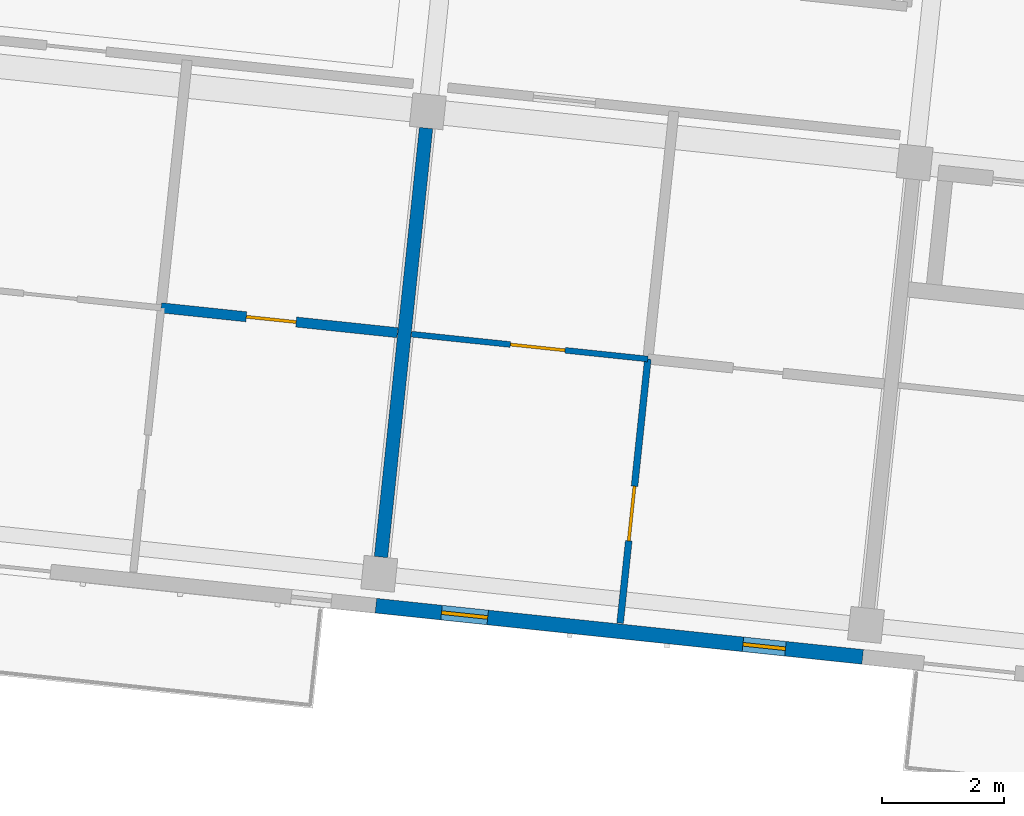
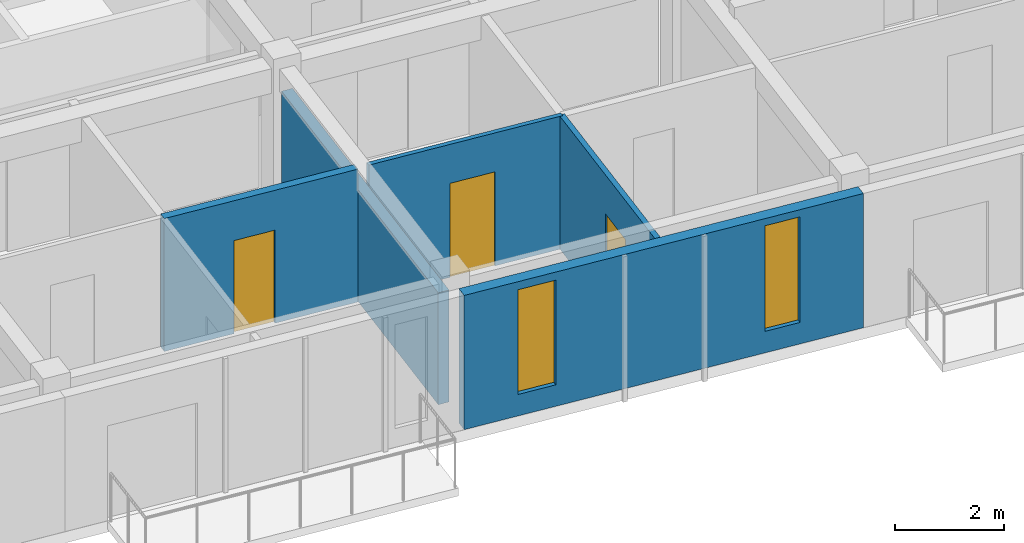
# One storey, part 31 of 68: 5 walls, 3 doors, 2 windows, 5 openings.
"""IFC4 building model written with IfcOpenShell, lengths in metres."""

from ifc_helpers import new_model, si_unit, direction, frame, frame_2d, origin, place, context, subcontext, project, spatial, rectangle, extrude, material, layer, layer_set, type_object, element, fill, save


model = new_model("IFC4")

# Units and contexts
model_context = context("Model", 3, precision=1e-05, world=origin(), true_north=direction((0.0, 1.0)))
body_context = subcontext(model_context, "Body", "Model", "MODEL_VIEW")
ifc_project = project(units=[si_unit("LENGTHUNIT", "METRE"), si_unit("AREAUNIT", "SQUARE_METRE"), si_unit("VOLUMEUNIT", "CUBIC_METRE"), si_unit("PLANEANGLEUNIT", "RADIAN"), si_unit("MASSUNIT", "GRAM", prefix="KILO")], contexts=[model_context])

# Site, building, storey
site_placement = place(None, origin())
site = spatial("IfcSite", under=ifc_project, at=site_placement, CompositionType="ELEMENT")
building_placement = place(site_placement, origin())
building = spatial("IfcBuilding", under=site, at=building_placement, Name="Kestramere Prow Commons", CompositionType="ELEMENT")
storey_placement = place(building_placement, frame((0.0, 0.0, 18.14990234375)))
storey = spatial("IfcBuildingStorey", under=building, at=storey_placement, Name="L05", CompositionType="ELEMENT", Elevation=18.14990234375)

# Wall, openings, windows
ifc_material_1 = material(Name="Fluoropolymer Standing-Seam Zinc-Aluminium Cladding", Category="aluminium")
ifc_layer_1 = layer(ifc_material_1, 0.239990234375)
ifc_layer_set_1 = layer_set([ifc_layer_1], Name="Fluoropolymer Standing-Seam Zinc-Aluminium Cladding")
wall_type_1 = type_object("IfcWallType", Name="EW-SEAM-240", PredefinedType="SOLIDWALL", material=ifc_layer_set_1)
wall_1_placement = place(storey_placement, frame((133.813720703125, 91.769287109375, 0.0), z_axis=(0.0, 0.0, 1.0), x_axis=(-0.994522662826, 0.104521161134, 0.0)))
wall_1 = element("IfcWall", 1, at=wall_1_placement, inside=storey, type_object=wall_type_1, Name="Block B L05 South Standing-Seam Wall 3", PredefinedType="SOLIDWALL", context=body_context, shape_type="SweptSolid", body=[
    extrude(rectangle(XDim=8.0, YDim=0.239990234375, at=frame_2d((4.0, 0.0))), origin(), (0.0, 0.0, 1.0), 3.0),
])
opening_1_placement = place(wall_1_placement, frame((1.268310546875, 0.0, 0.47998046875)))
opening_1 = element("IfcOpeningElement", 2, at=opening_1_placement, cuts=wall_1, Name="Opening WN-07", PredefinedType="OPENING", context=body_context, shape_type="SweptSolid", body=[
    extrude(rectangle(XDim=0.699951171875, YDim=2.360107421875, at=frame_2d((0.35009765625, 1.18017578125))), frame((0.0, 0.135009765625, 0.0), z_axis=(0.0, -1.0, 0.0), x_axis=(1.0, 0.0, 0.0)), (0.0, 0.0, 1.0), 0.27001953125),
])
opening_2_placement = place(wall_1_placement, frame((6.162109375, 0.0, 0.47998046875)))
opening_2 = element("IfcOpeningElement", 3, at=opening_2_placement, cuts=wall_1, Name="Opening WN-10", PredefinedType="OPENING", context=body_context, shape_type="SweptSolid", body=[
    extrude(rectangle(XDim=0.760009765625, YDim=2.340087890625, at=frame_2d((0.3798828125, 1.169921875))), frame((0.0, 0.135009765625, 0.0), z_axis=(0.0, -1.0, 0.0), x_axis=(1.0, 0.0, 0.0)), (0.0, 0.0, 1.0), 0.27001953125),
])
ifc_material_2 = material(Name="Low-E Laminated Double Glazing", Category="glass")
window_type_1 = type_object("IfcWindowType", Name="WN-NAR-700A", PartitioningType="SINGLE_PANEL", PredefinedType="WINDOW", material=ifc_material_2)
window_1_placement = place(opening_1_placement, origin())
window_1 = element("IfcWindow", 4, at=window_1_placement, inside=storey, type_object=window_type_1, Name="WN-B-L05-S-2-00", OverallHeight=2.360107421875, OverallWidth=0.699951171875, PartitioningType="SINGLE_PANEL", PredefinedType="WINDOW", context=body_context, shape_type="SweptSolid", body=[
    extrude(rectangle(XDim=0.699951171875, YDim=2.360107421875, at=frame_2d((0.35009765625, 1.18017578125))), frame((0.0, 0.030029296875, 0.0), z_axis=(0.0, -1.0, 0.0), x_axis=(1.0, 0.0, 0.0)), (0.0, 0.0, 1.0), 0.06005859375),
])
fill(opening_1, window_1)
window_type_2 = type_object("IfcWindowType", Name="WN-NAR-760A", PartitioningType="SINGLE_PANEL", PredefinedType="WINDOW", material=ifc_material_2)
window_2_placement = place(opening_2_placement, origin())
window_2 = element("IfcWindow", 5, at=window_2_placement, inside=storey, type_object=window_type_2, Name="WN-B-L05-S-2-10", OverallHeight=2.340087890625, OverallWidth=0.760009765625, PartitioningType="SINGLE_PANEL", PredefinedType="WINDOW", context=body_context, shape_type="SweptSolid", body=[
    extrude(rectangle(XDim=0.760009765625, YDim=2.340087890625, at=frame_2d((0.3798828125, 1.169921875))), frame((0.0, 0.030029296875, 0.0), z_axis=(0.0, -1.0, 0.0), x_axis=(1.0, 0.0, 0.0)), (0.0, 0.0, 1.0), 0.06005859375),
])
fill(opening_2, window_2)

# Wall, opening, door
ifc_material_3 = material(Name="Gypsum Acoustic Drywall")
ifc_layer_2 = layer(ifc_material_3, 0.110107421875)
ifc_layer_set_2 = layer_set([ifc_layer_2], Name="Gypsum Acoustic Drywall")
wall_type_2 = type_object("IfcWallType", Name="W-PART-110", PredefinedType="PARTITIONING", material=ifc_layer_set_2)
wall_2_placement = place(storey_placement, frame((129.849609375, 92.321533203125, 0.0), z_axis=(0.0, 0.0, 1.0), x_axis=(0.104520797474, 0.994522701046, 0.0)))
wall_2 = element("IfcWall", 6, at=wall_2_placement, inside=storey, type_object=wall_type_2, Name="Interior Partition PW-B-L05-LB-S2", PredefinedType="PARTITIONING", context=body_context, shape_type="SweptSolid", body=[
    extrude(rectangle(XDim=4.33984375, YDim=0.110107421875, at=frame_2d((2.169921875, 0.0))), origin(), (0.0, 0.0, 1.0), 2.97021484375),
])
opening_3_placement = place(wall_2_placement, frame((1.35009765625, 0.0, 0.0)))
opening_3 = element("IfcOpeningElement", 7, at=opening_3_placement, cuts=wall_2, Name="Opening ID-08", PredefinedType="OPENING", context=body_context, shape_type="SweptSolid", body=[
    extrude(rectangle(XDim=0.89990234375, YDim=2.10009765625, at=frame_2d((0.449951171875, 1.050048828125))), frame((0.0, 0.070068359375, 0.0), z_axis=(0.0, -1.0, 0.0), x_axis=(1.0, 0.0, 0.0)), (0.0, 0.0, 1.0), 0.14013671875),
])
ifc_material_4 = material(Name="Engineered Timber Flush Door", Category="wood")
door_type_1 = type_object("IfcDoorType", Name="D-RM-01", OperationType="NOTDEFINED", PredefinedType="DOOR", material=ifc_material_4)
door_1_placement = place(opening_3_placement, origin())
door_1 = element("IfcDoor", 8, at=door_1_placement, inside=storey, type_object=door_type_1, Name="Interior Door DR-B-L05-BED-S2", OperationType="SINGLE_SWING_LEFT", OverallHeight=2.10009765625, OverallWidth=0.89990234375, PredefinedType="DOOR", context=body_context, shape_type="SweptSolid", body=[
    extrude(rectangle(XDim=0.89990234375, YDim=2.10009765625, at=frame_2d((0.449951171875, 1.050048828125))), frame((0.0, 0.02490234375, 0.0), z_axis=(0.0, -1.0, 0.0), x_axis=(1.0, 0.0, 0.0)), (0.0, 0.0, 1.0), 0.050048828125),
])
fill(opening_3, door_1)

ifc_layer_3 = layer(ifc_material_3, 0.094970703125)
ifc_layer_set_3 = layer_set([ifc_layer_3], Name="Gypsum Acoustic Drywall")
wall_type_3 = type_object("IfcWallType", Name="W-PART-95", PredefinedType="PARTITIONING", material=ifc_layer_set_3)
wall_3_placement = place(storey_placement, frame((126.439697265625, 97.0439453125, 0.0), z_axis=(0.0, 0.0, 1.0), x_axis=(0.994517154753, -0.104573557378, 0.0)))
wall_3 = element("IfcWall", 9, at=wall_3_placement, inside=storey, type_object=wall_type_3, Name="Interior Partition PW-B-L05-MIDS1-2", PredefinedType="PARTITIONING", context=body_context, shape_type="SweptSolid", body=[
    extrude(rectangle(XDim=3.884765625, YDim=0.094970703125, at=frame_2d((1.9423828125, 0.0))), origin(), (0.0, 0.0, 1.0), 2.97021484375),
])
opening_4_placement = place(wall_3_placement, frame((1.625, 0.0, 0.0)))
opening_4 = element("IfcOpeningElement", 10, at=opening_4_placement, cuts=wall_3, Name="Opening ID-08", PredefinedType="OPENING", context=body_context, shape_type="SweptSolid", body=[
    extrude(rectangle(XDim=0.89990234375, YDim=2.10009765625, at=frame_2d((0.449951171875, 1.050048828125))), frame((0.0, 0.0625, 0.0), z_axis=(0.0, -1.0, 0.0), x_axis=(1.0, 0.0, 0.0)), (0.0, 0.0, 1.0), 0.125),
])
door_2_placement = place(opening_4_placement, origin())
door_2 = element("IfcDoor", 11, at=door_2_placement, inside=storey, type_object=door_type_1, Name="Interior Door DR-B-L05-KL-S2", OperationType="SINGLE_SWING_RIGHT", OverallHeight=2.10009765625, OverallWidth=0.89990234375, PredefinedType="DOOR", context=body_context, shape_type="SweptSolid", body=[
    extrude(rectangle(XDim=0.89990234375, YDim=2.10009765625, at=frame_2d((0.449951171875, 1.050048828125))), frame((0.0, 0.02490234375, 0.0), z_axis=(0.0, -1.0, 0.0), x_axis=(1.0, 0.0, 0.0)), (0.0, 0.0, 1.0), 0.050048828125),
])
fill(opening_4, door_2)

ifc_material_5 = material(Name="Waterproof Sanitary Masonry Wall", Category="masonry")
ifc_layer_4 = layer(ifc_material_5, 0.1650390625)
ifc_layer_set_4 = layer_set([ifc_layer_4], Name="Waterproof Sanitary Masonry Wall")
wall_type_4 = type_object("IfcWallType", Name="W-PLUMB-150", PredefinedType="PLUMBINGWALL", material=ifc_layer_set_4)
wall_4_placement = place(storey_placement, frame((122.34716796875, 97.47412109375, 0.0), z_axis=(0.0, 0.0, 1.0), x_axis=(0.994517841934, -0.104567021925, 0.0)))
wall_4 = element("IfcWall", 12, at=wall_4_placement, inside=storey, type_object=wall_type_4, Name="Interior Partition PW-B-L05-MIDS2-1", PredefinedType="PLUMBINGWALL", context=body_context, shape_type="SweptSolid", body=[
    extrude(rectangle(XDim=3.885009765625, YDim=0.1650390625, at=frame_2d((1.9423828125, 0.0))), origin(), (0.0, 0.0, 1.0), 2.97021484375),
])
opening_5_placement = place(wall_4_placement, frame((1.39990234375, 0.0, 0.0)))
opening_5 = element("IfcOpeningElement", 13, at=opening_5_placement, cuts=wall_4, Name="Opening ID-11", PredefinedType="OPENING", context=body_context, shape_type="SweptSolid", body=[
    extrude(rectangle(XDim=0.820068359375, YDim=2.080078125, at=frame_2d((0.41015625, 1.0400390625))), frame((0.0, 0.097412109375, 0.0), z_axis=(0.0, -1.0, 0.0), x_axis=(1.0, 0.0, 0.0)), (0.0, 0.0, 1.0), 0.195068359375),
])
ifc_material_6 = material(Name="Moisture-Resistant Timber Bathroom Door", Category="wood")
door_type_2 = type_object("IfcDoorType", Name="D-BT-01", OperationType="NOTDEFINED", PredefinedType="DOOR", material=ifc_material_6)
door_3_placement = place(opening_5_placement, origin())
door_3 = element("IfcDoor", 14, at=door_3_placement, inside=storey, type_object=door_type_2, Name="Interior Door DR-B-L05-BTH-S1", OperationType="SINGLE_SWING_LEFT", OverallHeight=2.080078125, OverallWidth=0.820068359375, PredefinedType="DOOR", context=body_context, shape_type="SweptSolid", body=[
    extrude(rectangle(XDim=0.820068359375, YDim=2.080078125, at=frame_2d((0.41015625, 1.0400390625))), frame((0.0, 0.02490234375, 0.0), z_axis=(0.0, -1.0, 0.0), x_axis=(1.0, 0.0, 0.0)), (0.0, 0.0, 1.0), 0.050048828125),
])
fill(opening_5, door_3)

# Wall
ifc_material_7 = material(Name="Precast concrete C40/50", Category="concrete")
ifc_layer_5 = layer(ifc_material_7, 0.219970703125)
ifc_layer_set_5 = layer_set([ifc_layer_5], Name="Precast concrete C40/50")
wall_type_5 = type_object("IfcWallType", Name="W-XWALL-220", PredefinedType="SHEAR", material=ifc_layer_set_5)
wall_5_placement = place(storey_placement, frame((125.941162109375, 93.401123046875, 0.0), z_axis=(0.0, 0.0, 1.0), x_axis=(0.104515329964, 0.994523275646, 0.0)))
element("IfcWall", 15, at=wall_5_placement, inside=storey, type_object=wall_type_5, Name="Block B L05 Precast Cross-Wall 2", PredefinedType="SHEAR", context=body_context, shape_type="SweptSolid", body=[
    extrude(rectangle(XDim=7.0498046875, YDim=0.219970703125, at=frame_2d((3.52490234375, 0.0))), origin(), (0.0, 0.0, 1.0), 2.5),
])

save(model, "model.ifc")
